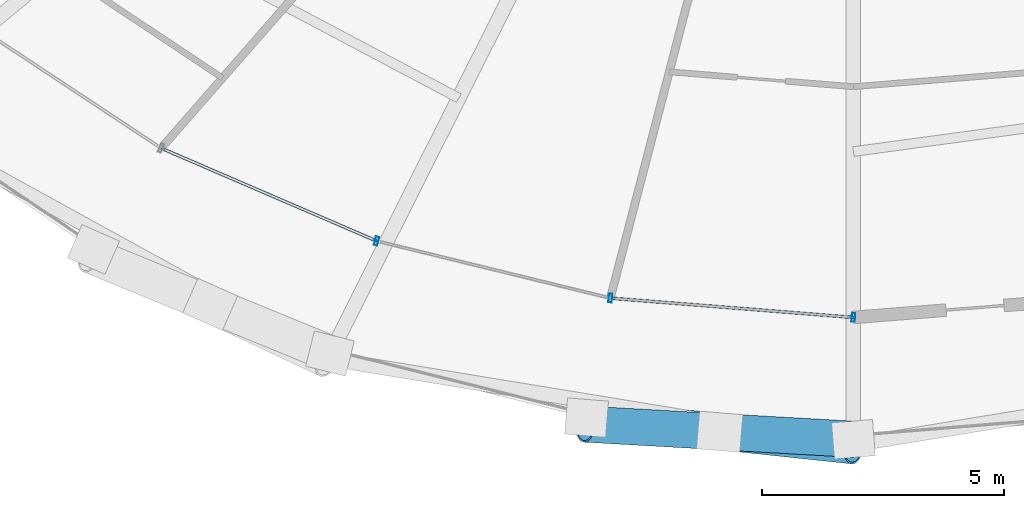
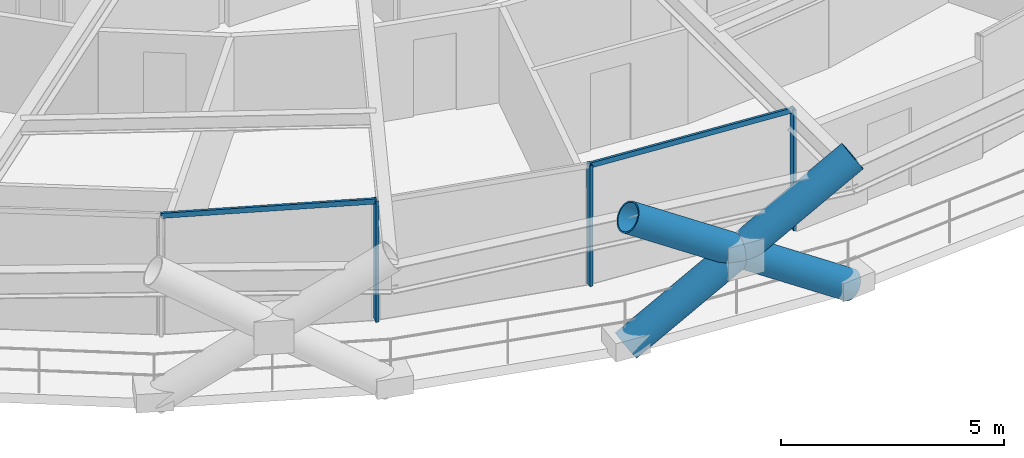
# One storey, part 4 of 20: 8 members, 1 element without a shape of its own.
"""IFC4 building model written with IfcOpenShell, lengths in metres."""

from ifc_helpers import new_model, si_unit, direction, frame, origin, origin_2d, place, context, subcontext, project, spatial, hollow_rectangle, hollow_circle, extrude, material, layer, layer_set, material_profile, profile_set, type_object, element, aggregate, save


model = new_model("IFC4")

# Units and contexts
model_context = context("Model", 3, precision=1e-05, world=origin(), true_north=direction((0.0, 1.0)))
body_context = subcontext(model_context, "Body", "Model", "MODEL_VIEW")
ifc_project = project(units=[si_unit("LENGTHUNIT", "METRE"), si_unit("AREAUNIT", "SQUARE_METRE"), si_unit("VOLUMEUNIT", "CUBIC_METRE"), si_unit("PLANEANGLEUNIT", "RADIAN"), si_unit("MASSUNIT", "GRAM", prefix="KILO")], contexts=[model_context])

# Site, building, storey
site_placement = place(None, origin())
site = spatial("IfcSite", under=ifc_project, at=site_placement, CompositionType="ELEMENT")
building_placement = place(site_placement, origin())
building = spatial("IfcBuilding", under=site, at=building_placement, Name="Veldorina Hangang Commons", CompositionType="ELEMENT")
storey_placement = place(building_placement, frame((0.0, 0.0, 48.39990234375)))
storey = spatial("IfcBuildingStorey", under=building, at=storey_placement, Name="L11", CompositionType="ELEMENT", Elevation=48.39990234375)

# Curtain wall, members
ifc_material_1 = material(Name="Glass Low-E Triple IGU", Category="glass")
ifc_layer = layer(ifc_material_1, 0.179931640625)
ifc_layer_set = layer_set([ifc_layer], Name="Glass Low-E Triple IGU")
curtain_wall_type = type_object("IfcCurtainWallType", Name="CW-SYS-Z1", PredefinedType="NOTDEFINED", material=ifc_layer_set)
curtain_wall_placement = place(storey_placement, origin())
curtain_wall = element("IfcCurtainWall", 1, at=curtain_wall_placement, inside=storey, type_object=curtain_wall_type, Name="L11 unitised curtain wall CW-L11-R1", PredefinedType="NOTDEFINED")
ifc_material_2 = material(Name="Aluminium Anodized AA6063-T6", Category="aluminium")
ifc_material_profile_1 = material_profile(ifc_material_2, hollow_rectangle(XDim=0.070068359375, YDim=0.179931640625, WallThickness=0.00390625, at=origin_2d()), Name="ALU-RHS-180x70x4")
ifc_profile_set_1 = profile_set([ifc_material_profile_1], Name="Aluminium Anodized AA6063-T6")
member_type_1 = type_object("IfcMemberType", Name="CW-MUL-180", PredefinedType="MULLION", material=ifc_profile_set_1)
member_1_placement = place(storey_placement, frame((22.13525390625, 4.8037109375, 0.0), z_axis=(0.0, 0.0, 1.0), x_axis=(0.971383539033, -0.237516357534, 0.0)))
member_1 = element("IfcMember", 2, at=member_1_placement, type_object=member_type_1, Name="CW-L11-R1 vertical mullion 3", PredefinedType="MULLION", context=body_context, shape_type="SweptSolid", body=[
    extrude(hollow_rectangle(XDim=0.070068359375, YDim=0.179931640625, WallThickness=0.00390625, at=origin_2d()), origin(), (0.0, 0.0, 1.0), 3.300048828125),
])
member_2_placement = place(storey_placement, frame((26.970947265625, 3.62109375, 0.0), z_axis=(0.0, 0.0, 1.0), x_axis=(0.996863697377, -0.079137657603, 0.0)))
member_2 = element("IfcMember", 3, at=member_2_placement, type_object=member_type_1, Name="CW-L11-R1 vertical mullion 4", PredefinedType="MULLION", context=body_context, shape_type="SweptSolid", body=[
    extrude(hollow_rectangle(XDim=0.070068359375, YDim=0.179931640625, WallThickness=0.00390625, at=origin_2d()), origin(), (0.0, 0.0, 1.0), 3.300048828125),
])
member_3_placement = place(storey_placement, frame((32.0, 3.221923828125, 0.0), z_axis=(0.0, 0.0, 1.0), x_axis=(-0.996863697377, 0.079137657603, 0.0)))
member_3 = element("IfcMember", 4, at=member_3_placement, type_object=member_type_1, Name="CW-L11-R1 vertical mullion 5", PredefinedType="MULLION", context=body_context, shape_type="SweptSolid", body=[
    extrude(hollow_rectangle(XDim=0.070068359375, YDim=0.179931640625, WallThickness=0.00390625, at=origin_2d()), origin(), (0.0, 0.0, 1.0), 3.300048828125),
])
ifc_material_profile_2 = material_profile(ifc_material_2, hollow_rectangle(XDim=0.06005859375, YDim=0.139892578125, WallThickness=0.00341796875, at=origin_2d()), Name="ALU-RHS-140x60x3.5")
ifc_profile_set_2 = profile_set([ifc_material_profile_2], Name="Aluminium Anodized AA6063-T6")
member_type_2 = type_object("IfcMemberType", Name="CW-TRN-140", PredefinedType="USERDEFINED", material=ifc_profile_set_2)
member_4_placement = place(storey_placement, frame((17.678466796875, 6.7236328125, 3.260009765625), z_axis=(0.918406991135, -0.39563695307, 0.0), x_axis=(0.39563695307, 0.918406991135, 0.0)))
member_4 = element("IfcMember", 5, at=member_4_placement, type_object=member_type_2, Name="CW-L11-R1 facet 2 transom 1", ObjectType="TRANSOM", PredefinedType="USERDEFINED", context=body_context, shape_type="SweptSolid", body=[
    extrude(hollow_rectangle(XDim=0.06005859375, YDim=0.139892578125, WallThickness=0.00341796875, at=origin_2d()), origin(), (0.0, 0.0, 1.0), 4.852783203125),
])
member_5_placement = place(storey_placement, frame((26.970947265625, 3.62109375, 3.260009765625), z_axis=(0.996864786715, -0.079123934476, 0.0), x_axis=(0.079123934476, 0.996864786715, 0.0)))
member_5 = element("IfcMember", 6, at=member_5_placement, type_object=member_type_2, Name="CW-L11-R1 facet 4 transom 1", ObjectType="TRANSOM", PredefinedType="USERDEFINED", context=body_context, shape_type="SweptSolid", body=[
    extrude(hollow_rectangle(XDim=0.06005859375, YDim=0.139892578125, WallThickness=0.00341796875, at=origin_2d()), origin(), (0.0, 0.0, 1.0), 5.044921875),
])
aggregate(curtain_wall, [member_1, member_2, member_3, member_4, member_5])

# Members
ifc_material_3 = material(Name="Steel SM460-TMC", Category="steel")
ifc_material_profile_3 = material_profile(ifc_material_3, hollow_circle(Radius=0.375, WallThickness=0.035888671875, at=origin_2d()), Name="CHS-750x36")
ifc_profile_set_3 = profile_set([ifc_material_profile_3], Name="Steel SM460-TMC")
member_type_3 = type_object("IfcMemberType", Name="DG-CHS750", PredefinedType="BRACE", material=ifc_profile_set_3)
member_6_placement = place(storey_placement, frame((26.479248046875, 1.149658203125, 0.0), z_axis=(0.834358120113, -0.088405875195, 0.544087243585), x_axis=(0.105366932888, 0.994433411272, 0.0)))
element("IfcMember", 7, at=member_6_placement, inside=storey, type_object=member_type_3, Name="L11 continuous perimeter diagrid brace 23", PredefinedType="BRACE", context=body_context, shape_type="SweptSolid", body=[
    extrude(hollow_circle(Radius=0.375, WallThickness=0.035888671875, at=origin_2d()), origin(), (0.0, 0.0, 1.0), 6.61669921875),
])
member_7_placement = place(storey_placement, frame((32.0, 0.701904296875, 0.0), z_axis=(-0.837882351105, 0.047238999678, 0.543802944656), x_axis=(-0.056289646489, -0.998414480914, 0.0)))
element("IfcMember", 8, at=member_7_placement, inside=storey, type_object=member_type_3, Name="L11 split perimeter diagrid lower brace 24", PredefinedType="BRACE", context=body_context, shape_type="SweptSolid", body=[
    extrude(hollow_circle(Radius=0.375, WallThickness=0.035888671875, at=origin_2d()), origin(), (0.0, 0.0, 1.0), 3.302490234375),
])
member_8_placement = place(storey_placement, frame((29.23291015625, 0.85791015625, 1.7958984375), z_axis=(-0.837911750448, 0.047384542263, 0.543744980313), x_axis=(-0.056460547171, -0.998404831025, 0.0)))
element("IfcMember", 9, at=member_8_placement, inside=storey, type_object=member_type_3, Name="L11 split perimeter diagrid upper brace 24", PredefinedType="BRACE", context=body_context, shape_type="SweptSolid", body=[
    extrude(hollow_circle(Radius=0.375, WallThickness=0.035888671875, at=origin_2d()), origin(), (0.0, 0.0, 1.0), 3.318115234375),
])

save(model, "model.ifc")
